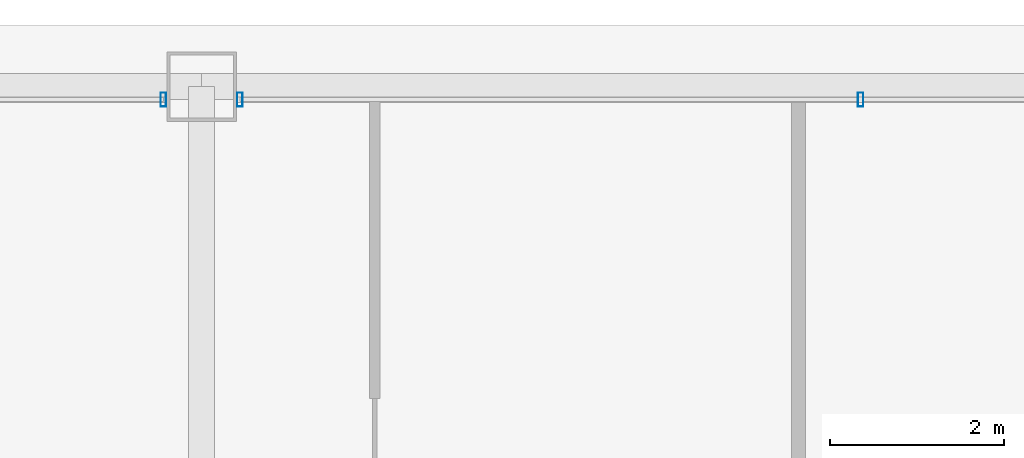
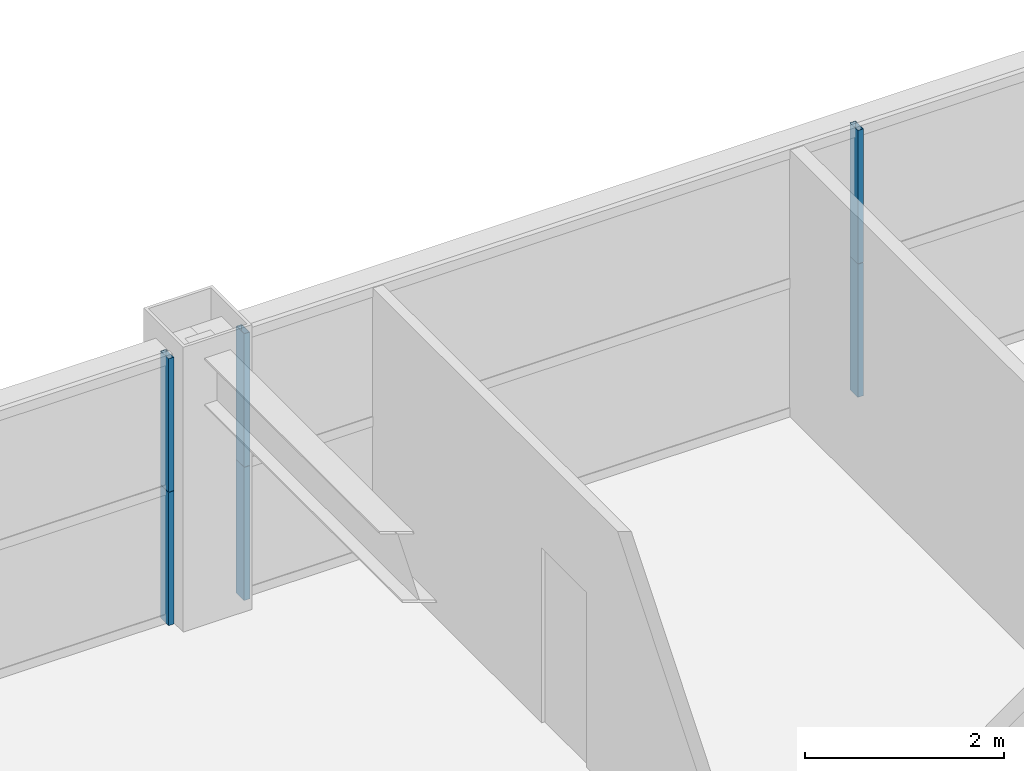
# One storey, part 29 of 38: 6 members, 2 elements without a shape of their own.
"""IFC4 building model written with IfcOpenShell, lengths in metres."""

from ifc_helpers import new_model, si_unit, direction, frame, origin, origin_2d, place, context, subcontext, project, spatial, hollow_rectangle, extrude, source, transform, mapped, material, layer, layer_set, material_profile, profile_set, type_object, element, aggregate, save


model = new_model("IFC4")

# Units and contexts
model_context = context("Model", 3, precision=1e-05, world=origin(), true_north=direction((0.0, 1.0)))
body_context = subcontext(model_context, "Body", "Model", "MODEL_VIEW")
ifc_project = project(units=[si_unit("LENGTHUNIT", "METRE"), si_unit("AREAUNIT", "SQUARE_METRE"), si_unit("VOLUMEUNIT", "CUBIC_METRE"), si_unit("PLANEANGLEUNIT", "RADIAN"), si_unit("MASSUNIT", "GRAM", prefix="KILO"), si_unit("THERMODYNAMICTEMPERATUREUNIT", "KELVIN"), si_unit("POWERUNIT", "WATT")], contexts=[model_context])

# Site, building, storey
site_placement = place(None, origin())
site = spatial("IfcSite", under=ifc_project, at=site_placement, CompositionType="ELEMENT")
building_placement = place(site_placement, origin())
building = spatial("IfcBuilding", under=site, at=building_placement, Name="Yuzanri Waterfront Tower", CompositionType="ELEMENT")
storey_placement = place(building_placement, frame((0.0, 0.0, 209.0)))
storey = spatial("IfcBuildingStorey", under=building, at=storey_placement, Name="L55", CompositionType="ELEMENT", Elevation=209.0)

# Curtain wall, members
ifc_material_1 = material(Name="Anodized Architectural Bronze", Category="metal")
ifc_layer = layer(ifc_material_1, 0.159912109375)
ifc_layer_set = layer_set([ifc_layer], Name="Anodized Architectural Bronze")
curtain_wall_type = type_object("IfcCurtainWallType", Name="Anodized Bronze Mid-Rise Residential Acoustic Unitized Curtain Wall 7200", PredefinedType="NOTDEFINED", material=ifc_layer_set)
curtain_wall_1_placement = place(storey_placement, origin())
curtain_wall_1 = element("IfcCurtainWall", 1, at=curtain_wall_1_placement, inside=storey, type_object=curtain_wall_type, Name="L55 Curtain Wall CW-L55-NL", PredefinedType="NOTDEFINED")
ifc_material_2 = material(Name="Anodized Architectural Bronze", Category="metal")
ifc_material_profile = material_profile(ifc_material_2, hollow_rectangle(XDim=0.06494140625, YDim=0.159912109375, WallThickness=0.00341796875, at=origin_2d()), Name="CWM 65x160")
ifc_profile_set = profile_set([ifc_material_profile], Name="Anodized Architectural Bronze")
member_type = type_object("IfcMemberType", Name="Anodized Bronze Upper-Zone Curtain-Wall Mullion 65x160", PredefinedType="MULLION", material=ifc_profile_set)
shared_shape = source(origin(), body_context, "Body", "SweptSolid", [
    extrude(hollow_rectangle(XDim=0.06494140625, YDim=0.159912109375, WallThickness=0.00341796875, at=origin_2d()), origin(), (0.0, 0.0, 1.0), 1.637939453125),
])
member_1_placement = place(storey_placement, frame((36.56005859375, 47.75, 0.0), z_axis=(0.0, 0.0, 1.0), x_axis=(1.0, 0.0, 0.0)))
member_1 = element("IfcMember", 2, at=member_1_placement, type_object=member_type, Name="CW-L55-NL Lower Mullion 02", PredefinedType="MULLION", context=body_context, shape_type="MappedRepresentation", body=[
    mapped(shared_shape, transform((0.0, 0.0, 0.0), scale=1.0)),
])
member_2_placement = place(storey_placement, frame((36.56005859375, 47.75, 1.64208984375), z_axis=(0.0, 0.0, 1.0), x_axis=(1.0, 0.0, 0.0)))
member_2 = element("IfcMember", 3, at=member_2_placement, type_object=member_type, Name="CW-L55-NL Upper Mullion 02", PredefinedType="MULLION", context=body_context, shape_type="MappedRepresentation", body=[
    mapped(shared_shape, transform((0.0, 0.0, 0.0), scale=1.0)),
])
aggregate(curtain_wall_1, [member_1, member_2])

curtain_wall_2_placement = place(storey_placement, origin())
curtain_wall_2 = element("IfcCurtainWall", 4, at=curtain_wall_2_placement, inside=storey, type_object=curtain_wall_type, Name="L55 Curtain Wall CW-L55-NR", PredefinedType="NOTDEFINED")
member_3_placement = place(storey_placement, frame((37.43994140625, 47.75, 0.0), z_axis=(0.0, 0.0, 1.0), x_axis=(1.0, 0.0, 0.0)))
member_3 = element("IfcMember", 5, at=member_3_placement, type_object=member_type, Name="CW-L55-NR Lower Mullion 00", PredefinedType="MULLION", context=body_context, shape_type="MappedRepresentation", body=[
    mapped(shared_shape, transform((0.0, 0.0, 0.0), scale=1.0)),
])
member_4_placement = place(storey_placement, frame((37.43994140625, 47.75, 1.64208984375), z_axis=(0.0, 0.0, 1.0), x_axis=(1.0, 0.0, 0.0)))
member_4 = element("IfcMember", 6, at=member_4_placement, type_object=member_type, Name="CW-L55-NR Upper Mullion 00", PredefinedType="MULLION", context=body_context, shape_type="MappedRepresentation", body=[
    mapped(shared_shape, transform((0.0, 0.0, 0.0), scale=1.0)),
])
member_5_placement = place(storey_placement, frame((44.574951171875, 47.75, 0.0), z_axis=(0.0, 0.0, 1.0), x_axis=(1.0, 0.0, 0.0)))
member_5 = element("IfcMember", 7, at=member_5_placement, type_object=member_type, Name="CW-L55-NR Lower Mullion 01", PredefinedType="MULLION", context=body_context, shape_type="MappedRepresentation", body=[
    mapped(shared_shape, transform((0.0, 0.0, 0.0), scale=1.0)),
])
member_6_placement = place(storey_placement, frame((44.574951171875, 47.75, 1.64208984375), z_axis=(0.0, 0.0, 1.0), x_axis=(1.0, 0.0, 0.0)))
member_6 = element("IfcMember", 8, at=member_6_placement, type_object=member_type, Name="CW-L55-NR Upper Mullion 01", PredefinedType="MULLION", context=body_context, shape_type="MappedRepresentation", body=[
    mapped(shared_shape, transform((0.0, 0.0, 0.0), scale=1.0)),
])
aggregate(curtain_wall_2, [member_3, member_4, member_5, member_6])

save(model, "model.ifc")
